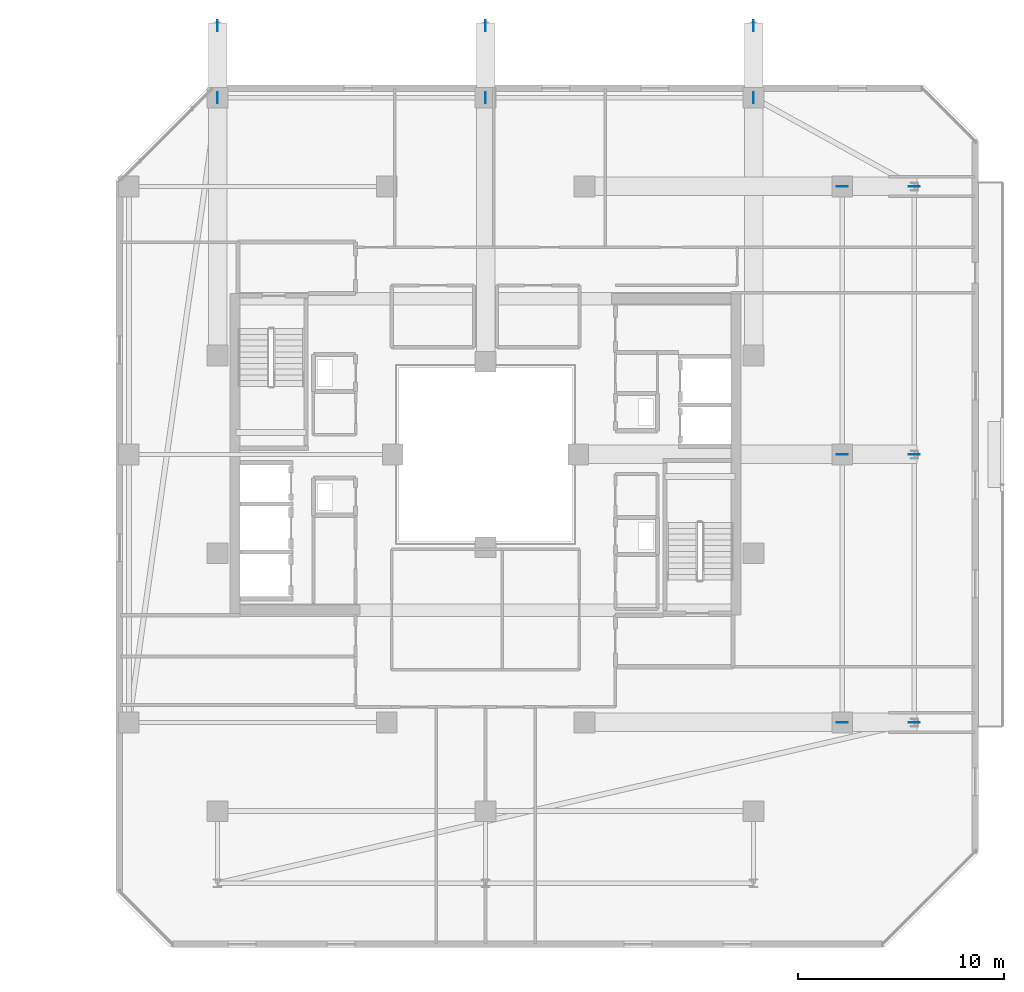
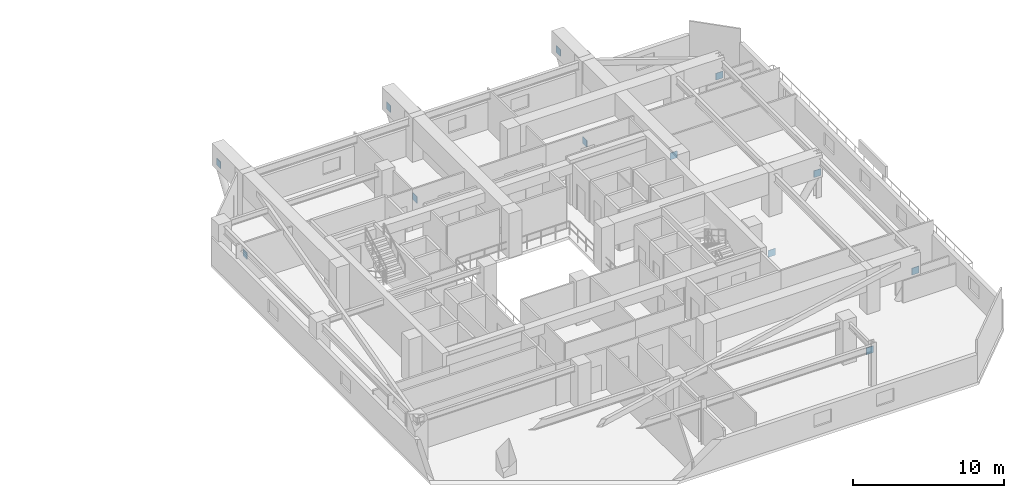
# One storey, part 19 of 34: 12 plates.
"""IFC4 building model written with IfcOpenShell, lengths in metres."""

from ifc_helpers import new_model, si_unit, direction, frame, origin, origin_2d, place, context, subcontext, project, spatial, rectangle, extrude, material, layer, layer_set, type_object, element, save


model = new_model("IFC4")

# Units and contexts
model_context = context("Model", 3, precision=1e-05, world=origin(), true_north=direction((0.0, 1.0)))
body_context = subcontext(model_context, "Body", "Model", "MODEL_VIEW")
ifc_project = project(units=[si_unit("LENGTHUNIT", "METRE"), si_unit("AREAUNIT", "SQUARE_METRE"), si_unit("VOLUMEUNIT", "CUBIC_METRE"), si_unit("PLANEANGLEUNIT", "RADIAN"), si_unit("MASSUNIT", "GRAM", prefix="KILO")], contexts=[model_context])

# Site, building, storey
site_placement = place(None, origin())
site = spatial("IfcSite", under=ifc_project, at=site_placement, CompositionType="ELEMENT")
building_placement = place(site_placement, origin())
building = spatial("IfcBuilding", under=site, at=building_placement, Name="Thornwick Lancets Civic Towers", CompositionType="ELEMENT")
storey_placement = place(building_placement, frame((0.0, 0.0, 251.10009765625)))
storey = spatial("IfcBuildingStorey", under=building, at=storey_placement, Name="L67", CompositionType="ELEMENT", Elevation=251.10009765625)

# Plates
ifc_material = material(Name="Steel S460M", Category="steel")
ifc_layer = layer(ifc_material, 0.0400390625, Name="Steel S460M")
ifc_layer_set = layer_set([ifc_layer], Name="Steel S460M")
plate_type = type_object("IfcPlateType", Name="PLT_GUSSET_40", PredefinedType="USERDEFINED", material=ifc_layer_set)
for number, where, z_axis, x_axis, name in (
    (1, (105.800048828125, 14.0, -3.625), (0.0, 0.0, 1.0), (1.0, 0.0, 0.0), "L67 Brace Connection Gusset Plate 0409"),
    (2, (109.300048828125, 14.0, 1.60498046875), (0.0, 0.0, 1.0), (1.0, 0.0, 0.0), "L67 Brace Connection Gusset Plate 0410"),
    (3, (105.800048828125, 27.0, -3.625), (0.0, 0.0, 1.0), (1.0, 0.0, 0.0), "L67 Brace Connection Gusset Plate 0411"),
    (4, (109.300048828125, 27.0, 1.60498046875), (0.0, 0.0, 1.0), (1.0, 0.0, 0.0), "L67 Brace Connection Gusset Plate 0412"),
    (5, (105.800048828125, 40.0, -3.625), (0.0, 0.0, 1.0), (1.0, 0.0, 0.0), "L67 Brace Connection Gusset Plate 0413"),
    (6, (109.300048828125, 40.0, 1.60498046875), (0.0, 0.0, 1.0), (1.0, 0.0, 0.0), "L67 Brace Connection Gusset Plate 0414"),
    (7, (101.5, 44.300048828125, -3.625), (0.0, 0.0, 1.0), (0.0, 1.0, 0.0), "L67 Brace Connection Gusset Plate 0415"),
    (8, (101.5, 47.800048828125, 1.60498046875), (0.0, 0.0, 1.0), (0.0, 1.0, 0.0), "L67 Brace Connection Gusset Plate 0416"),
    (9, (88.5, 44.300048828125, -3.625), (0.0, 0.0, 1.0), (0.0, 1.0, 0.0), "L67 Brace Connection Gusset Plate 0417"),
    (10, (88.5, 47.800048828125, 1.60498046875), (0.0, 0.0, 1.0), (0.0, 1.0, 0.0), "L67 Brace Connection Gusset Plate 0418"),
    (11, (75.5, 44.300048828125, -3.625), (0.0, 0.0, 1.0), (0.0, 1.0, 0.0), "L67 Brace Connection Gusset Plate 0419"),
    (12, (75.5, 47.800048828125, 1.60498046875), (0.0, 0.0, 1.0), (0.0, 1.0, 0.0), "L67 Brace Connection Gusset Plate 0420"),
):
    element("IfcPlate", number, at=place(storey_placement, frame(where, z_axis=z_axis, x_axis=x_axis)), inside=storey, type_object=plate_type, Name=name, ObjectType="GUSSET_PLATE", PredefinedType="USERDEFINED", context=body_context, shape_type="SweptSolid", body=[
        extrude(rectangle(XDim=0.550048828125, YDim=0.0400390625, at=origin_2d()), origin(), (0.0, 0.0, 1.0), 0.550048828125),
    ])

save(model, "model.ifc")
